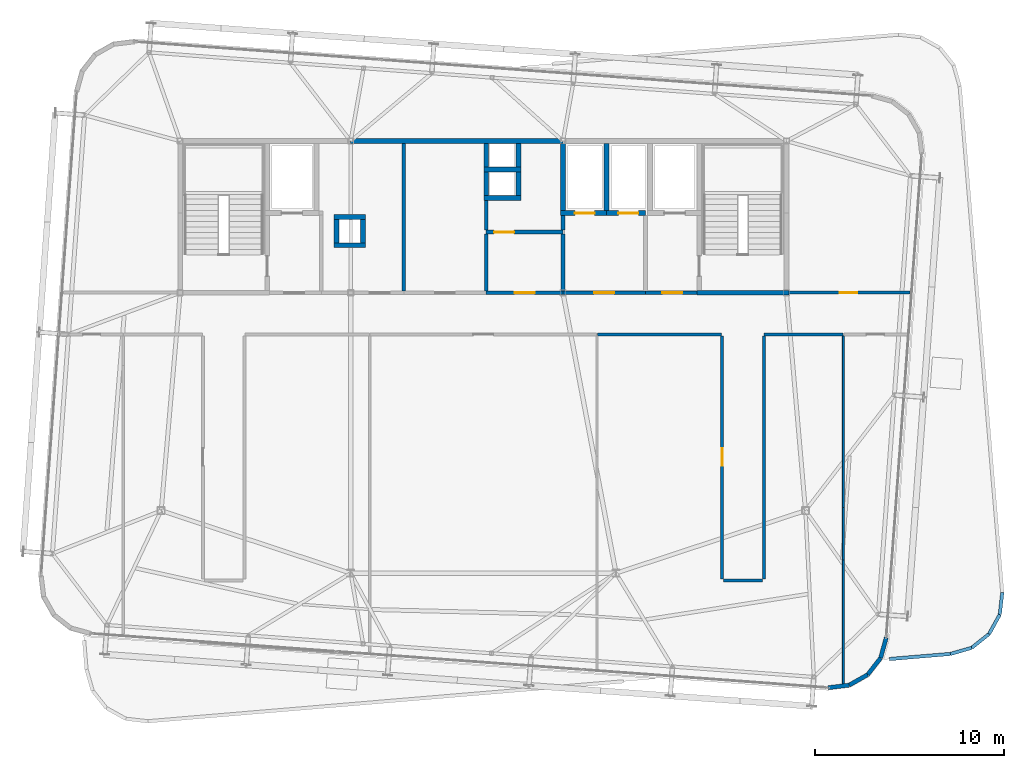
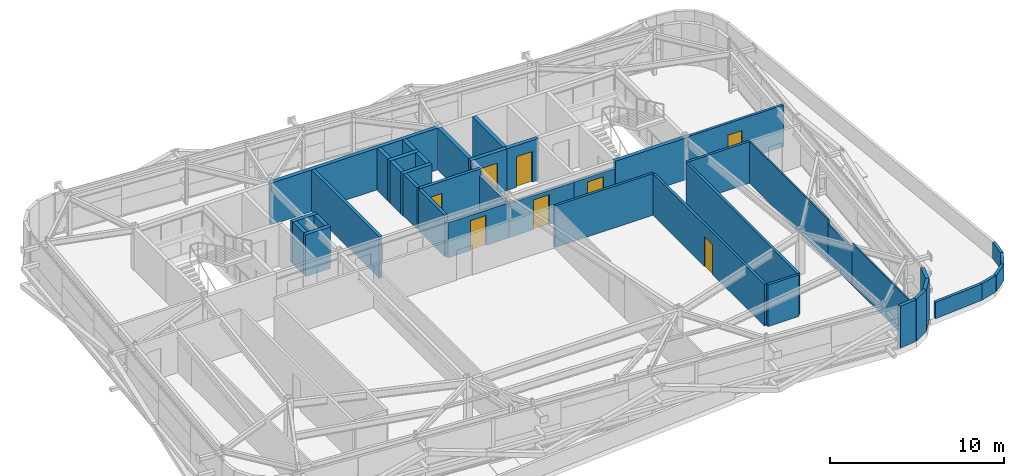
# One storey, part 34 of 37: 43 walls, 8 doors, 8 openings.
"""IFC4 building model written with IfcOpenShell, lengths in metres."""

from ifc_helpers import new_model, si_unit, direction, frame, frame_2d, origin, place, context, subcontext, project, spatial, rectangle, extrude, source, transform, mapped, material, layer, layer_set, type_object, element, fill, save


model = new_model("IFC4")

# Units and contexts
model_context = context("Model", 3, precision=1e-05, world=origin(), true_north=direction((0.0, 1.0)))
body_context = subcontext(model_context, "Body", "Model", "MODEL_VIEW")
ifc_project = project(units=[si_unit("LENGTHUNIT", "METRE"), si_unit("AREAUNIT", "SQUARE_METRE"), si_unit("VOLUMEUNIT", "CUBIC_METRE"), si_unit("PLANEANGLEUNIT", "RADIAN"), si_unit("MASSUNIT", "GRAM", prefix="KILO")], contexts=[model_context])

# Site, building, storey
site_placement = place(None, origin())
site = spatial("IfcSite", under=ifc_project, at=site_placement, CompositionType="ELEMENT")
building_placement = place(site_placement, origin())
building = spatial("IfcBuilding", under=site, at=building_placement, Name="Taldren Reach Tower", CompositionType="ELEMENT")
storey_placement = place(building_placement, frame((0.0, 0.0, 211.39990234375)))
storey = spatial("IfcBuildingStorey", under=building, at=storey_placement, Name="L64", CompositionType="ELEMENT", Elevation=211.39990234375)

# Walls
ifc_material_1 = material(Name="Pale Champagne Anodised Aluminium Cladding", Category="aluminium")
ifc_layer_1 = layer(ifc_material_1, 0.04, Name="Pale Champagne Anodised Aluminium Cladding", Category="aluminium")
ifc_material_2 = material(Name="Mineral Wool Acoustic Insulation", Category="insulation")
ifc_layer_2 = layer(ifc_material_2, 0.06, Name="Mineral Wool Acoustic Insulation", Category="insulation")
ifc_material_3 = material(Name="Steel Gr 350 (C350L0)", Category="steel")
ifc_layer_3 = layer(ifc_material_3, 0.12, Name="Steel Gr 350 (C350L0)", Category="steel")
ifc_layer_set_1 = layer_set([ifc_layer_1, ifc_layer_2, ifc_layer_3], Name="Pale Champagne Aluminium Cladding and Steel Gr 350 Stud Framing")
wall_type_1 = type_object("IfcWallType", Name="EW-CRN-220", PredefinedType="SOLIDWALL", material=ifc_layer_set_1)
shared_shape_1 = source(origin(), body_context, "Body", "SweptSolid", [
    extrude(rectangle(XDim=1.115966796875, YDim=0.219970703125, at=frame_2d((0.55810546875, 0.0))), origin(), (0.0, 0.0, 1.0), 2.93017578125),
])
for number, where, z_axis, x_axis, name in (
    (1, (53.20068359375, 3.15380859375, 0.0), (0.0, 0.0, 1.0), (0.992438604032, 0.122742076028, 0.0), "Rounded-corner pale-metal facade wall L64-SE1"),
    (2, (55.279052734375, 3.84130859375, 0.0), (0.0, 0.0, 1.0), (0.615015475096, 0.788515038152, 0.0), "Rounded-corner pale-metal facade wall L64-SE3"),
    (3, (55.96533203125, 4.72119140625, 0.0), (0.0, 0.0, 1.0), (0.26624444942, 0.963905541613, 0.0), "Rounded-corner pale-metal facade wall L64-SE4"),
):
    element("IfcWall", number, at=place(storey_placement, frame(where, z_axis=z_axis, x_axis=x_axis)), inside=storey, type_object=wall_type_1, Name=name, PredefinedType="SOLIDWALL", context=body_context, shape_type="MappedRepresentation", body=[
        mapped(shared_shape_1, transform((0.0, 0.0, 0.0), scale=1.0)),
    ])
shared_shape_2 = source(origin(), body_context, "Body", "SweptSolid", [
    extrude(rectangle(XDim=1.1162109375, YDim=0.219970703125, at=frame_2d((0.55810546875, 0.0))), origin(), (0.0, 0.0, 1.0), 2.93017578125),
])
wall_1_placement = place(storey_placement, frame((54.30810546875, 3.290771484375, 0.0), z_axis=(0.0, 0.0, 1.0), x_axis=(0.869893934693, 0.49323882895, 0.0)))
element("IfcWall", 4, at=wall_1_placement, inside=storey, type_object=wall_type_1, Name="Rounded-corner pale-metal facade wall L64-SE2", PredefinedType="SOLIDWALL", context=body_context, shape_type="MappedRepresentation", body=[
    mapped(shared_shape_2, transform((0.0, 0.0, 0.0), scale=1.0)),
])
ifc_layer_4 = layer(ifc_material_1, 0.03, Name="Pale Champagne Anodised Aluminium Cladding", Category="aluminium")
ifc_material_4 = material(Name="Concrete N40 (40 MPa)", Category="concrete")
ifc_layer_5 = layer(ifc_material_4, 0.15, Name="Concrete N40 (40 MPa)", Category="concrete")
ifc_layer_set_2 = layer_set([ifc_layer_4, ifc_layer_5], Name="Pale Champagne Aluminium Coping and Concrete 40 MPa (N40) Parapet")
wall_type_2 = type_object("IfcWallType", Name="EW-PAR-180", PredefinedType="PARAPET", material=ifc_layer_set_2)
shared_shape_3 = source(origin(), body_context, "Body", "SweptSolid", [
    extrude(rectangle(XDim=1.17041015625, YDim=0.179931640625, at=frame_2d((0.585205078125, 0.0))), origin(), (0.0, 0.0, 1.0), 1.150146484375),
])
for number, where, z_axis, x_axis, name in (
    (5, (62.38623046875, 8.17626953125, 0.0), (0.0, 0.0, 1.0), (-0.112422959565, -0.993660444097, 0.0), "Setback planter parapet wall L64-1.5"),
    (6, (61.68798828125, 5.98876953125, 0.0), (0.0, 0.0, 1.0), (-0.782007128427, -0.623269485126, 0.0), "Setback planter parapet wall L64-1.7"),
):
    element("IfcWall", number, at=place(storey_placement, frame(where, z_axis=z_axis, x_axis=x_axis)), inside=storey, type_object=wall_type_2, Name=name, PredefinedType="PARAPET", context=body_context, shape_type="MappedRepresentation", body=[
        mapped(shared_shape_3, transform((0.0, 0.0, 0.0), scale=1.0)),
    ])
shared_shape_4 = source(origin(), body_context, "Body", "SweptSolid", [
    extrude(rectangle(XDim=1.170654296875, YDim=0.179931640625, at=frame_2d((0.58544921875, 0.0))), origin(), (0.0, 0.0, 1.0), 1.150146484375),
])
for number, where, z_axis, x_axis, name in (
    (7, (62.254638671875, 7.01318359375, 0.0), (0.0, 0.0, 1.0), (-0.484030808045, -0.875050956724, 0.0), "Setback planter parapet wall L64-1.6"),
    (8, (60.772705078125, 5.25927734375, 0.0), (0.0, 0.0, 1.0), (-0.961058226353, -0.276345952673, 0.0), "Setback planter parapet wall L64-1.8"),
):
    element("IfcWall", number, at=place(storey_placement, frame(where, z_axis=z_axis, x_axis=x_axis)), inside=storey, type_object=wall_type_2, Name=name, PredefinedType="PARAPET", context=body_context, shape_type="MappedRepresentation", body=[
        mapped(shared_shape_4, transform((0.0, 0.0, 0.0), scale=1.0)),
    ])
shared_shape_5 = source(origin(), body_context, "Body", "SweptSolid", [
    extrude(rectangle(XDim=3.23486328125, YDim=0.179931640625, at=frame_2d((1.617431640625, 0.0))), origin(), (0.0, 0.0, 1.0), 1.150146484375),
])
wall_2_placement = place(storey_placement, frame((59.647705078125, 4.935791015625, 0.0), z_axis=(0.0, 0.0, 1.0), x_axis=(-0.996491417133, -0.083695015268, 0.0)))
element("IfcWall", 9, at=wall_2_placement, inside=storey, type_object=wall_type_2, Name="Setback planter parapet wall L64-1.9", PredefinedType="PARAPET", context=body_context, shape_type="MappedRepresentation", body=[
    mapped(shared_shape_5, transform((0.0, 0.0, 0.0), scale=1.0)),
])
ifc_material_5 = material(Name="Concrete S50 (50 MPa)", Category="concrete")
ifc_layer_6 = layer(ifc_material_5, 0.199951171875)
ifc_layer_set_3 = layer_set([ifc_layer_6], Name="Concrete S50 (50 MPa)")
wall_type_3 = type_object("IfcWallType", Name="IW-CORE-200", PredefinedType="SOLIDWALL", material=ifc_layer_set_3)
shared_shape_6 = source(origin(), body_context, "Body", "SweptSolid", [
    extrude(rectangle(XDim=3.0, YDim=0.199951171875, at=frame_2d((1.5, 0.0))), origin(), (0.0, 0.0, 1.0), 2.47021484375),
])
wall_3_placement = place(storey_placement, frame((39.199951171875, 24.10009765625, 0.0), z_axis=(0.0, 0.0, 1.0), x_axis=(0.0, 1.0, 0.0)))
element("IfcWall", 10, at=wall_3_placement, inside=storey, type_object=wall_type_3, Name="Rear Core Shear Wall W-INT-L64-029", PredefinedType="SOLIDWALL", context=body_context, shape_type="MappedRepresentation", body=[
    mapped(shared_shape_6, transform((0.0, 0.0, 0.0), scale=1.0)),
])
ifc_material_6 = material(Name="Fire-Rated Acoustic Plasterboard Stud Wall", Category="gypsum")
ifc_layer_7 = layer(ifc_material_6, 0.159912109375)
ifc_layer_set_4 = layer_set([ifc_layer_7], Name="Fire-Rated Acoustic Plasterboard Stud Wall")
wall_type_4 = type_object("IfcWallType", Name="IW-FIRE-160", PredefinedType="PARTITIONING", material=ifc_layer_set_4)
shared_shape_7 = source(origin(), body_context, "Body", "SweptSolid", [
    extrude(rectangle(XDim=2.0400390625, YDim=0.159912109375, at=frame_2d((1.02001953125, 0.0))), origin(), (0.0, 0.0, 1.0), 2.93017578125),
])
wall_4_placement = place(storey_placement, frame((49.719970703125, 8.800048828125, 0.0), z_axis=(0.0, 0.0, 1.0), x_axis=(-1.0, 0.0, 0.0)))
element("IfcWall", 11, at=wall_4_placement, inside=storey, type_object=wall_type_4, Name="Interior Partition Wall W-INT-L64-050", PredefinedType="PARTITIONING", context=body_context, shape_type="MappedRepresentation", body=[
    mapped(shared_shape_7, transform((0.0, 0.0, 0.0), scale=1.0)),
])

# Wall, opening, door
shared_shape_8 = source(origin(), body_context, "Body", "SweptSolid", [
    extrude(rectangle(XDim=4.35009765625, YDim=0.199951171875, at=frame_2d((2.175048828125, 0.0))), origin(), (0.0, 0.0, 1.0), 2.397216796875),
])
wall_5_placement = place(storey_placement, frame((43.550048828125, 24.0, 0.0), z_axis=(0.0, 0.0, 1.0), x_axis=(-1.0, 0.0, 0.0)))
wall_5 = element("IfcWall", 12, at=wall_5_placement, inside=storey, type_object=wall_type_3, Name="Rear Core Shear Wall W-INT-L64-031", PredefinedType="SOLIDWALL", context=body_context, shape_type="MappedRepresentation", body=[
    mapped(shared_shape_8, transform((0.0, 0.0, 0.0), scale=1.0)),
])
shared_shape_9 = source(origin(), body_context, "Body", "SweptSolid", [
    extrude(rectangle(XDim=1.050048828125, YDim=2.10009765625, at=frame_2d((0.52490234375, 1.050048828125))), frame((0.0, 0.10986328125, 0.0), z_axis=(0.0, -1.0, 0.0), x_axis=(1.0, 0.0, 0.0)), (0.0, 0.0, 1.0), 0.219970703125),
])
opening_1_placement = place(wall_5_placement, frame((1.64990234375, 0.0, 0.0)))
opening_1 = element("IfcOpeningElement", 13, at=opening_1_placement, cuts=wall_5, Name="Opening DF-105", PredefinedType="OPENING", context=body_context, shape_type="MappedRepresentation", body=[
    mapped(shared_shape_9, transform((0.0, 0.0, 0.0), scale=1.0)),
])
ifc_material_7 = material(Name="Fire-Rated Care and Stair Exit Door")
door_type_1 = type_object("IfcDoorType", Name="ID-FIRE-105", OperationType="NOTDEFINED", PredefinedType="DOOR", material=ifc_material_7)
shared_shape_10 = source(origin(), body_context, "Body", "SweptSolid", [
    extrude(rectangle(XDim=1.050048828125, YDim=2.10009765625, at=frame_2d((0.52490234375, 1.050048828125))), frame((0.0, 0.02490234375, 0.0), z_axis=(0.0, -1.0, 0.0), x_axis=(1.0, 0.0, 0.0)), (0.0, 0.0, 1.0), 0.050048828125),
])
door_1_placement = place(opening_1_placement, frame((1.050048828125, 0.0, 0.0), z_axis=(0.0, 0.0, 1.0), x_axis=(-1.0, 0.0, 0.0)))
door_1 = element("IfcDoor", 14, at=door_1_placement, inside=storey, type_object=door_type_1, Name="Interior Door DR-L64-005", OperationType="SINGLE_SWING_LEFT", OverallHeight=2.10009765625, OverallWidth=1.050048828125, PredefinedType="DOOR", context=body_context, shape_type="MappedRepresentation", body=[
    mapped(shared_shape_10, transform((0.0, 0.0, 0.0), scale=1.0)),
])
fill(opening_1, door_1)

# Walls
ifc_material_8 = material(Name="Concrete S65 (65 MPa)", Category="concrete")
ifc_layer_8 = layer(ifc_material_8, 0.25)
ifc_layer_set_5 = layer_set([ifc_layer_8], Name="Concrete S65 (65 MPa)")
wall_type_5 = type_object("IfcWallType", Name="IW-CORE-250", PredefinedType="SHEAR", material=ifc_layer_set_5)
shared_shape_11 = source(origin(), body_context, "Body", "SweptSolid", [
    extrude(rectangle(XDim=11.199951171875, YDim=0.25, at=frame_2d((5.60009765625, 0.0))), origin(), (0.0, 0.0, 1.0), 2.93017578125),
])
wall_6_placement = place(storey_placement, frame((28.0, 32.0, 0.0), z_axis=(0.0, 0.0, 1.0), x_axis=(1.0, 0.0, 0.0)))
element("IfcWall", 15, at=wall_6_placement, inside=storey, type_object=wall_type_5, Name="Rear Core Shear Wall W-CORE-L64-NORTH2", PredefinedType="SHEAR", context=body_context, shape_type="MappedRepresentation", body=[
    mapped(shared_shape_11, transform((0.0, 0.0, 0.0), scale=1.0)),
])
shared_shape_12 = source(origin(), body_context, "Body", "SweptSolid", [
    extrude(rectangle(XDim=3.550048828125, YDim=0.25, at=frame_2d((1.77490234375, 0.0))), origin(), (0.0, 0.0, 1.0), 2.93017578125),
])
for number, where, z_axis, x_axis, name in (
    (16, (41.5, 28.324951171875, 0.0), (0.0, 0.0, 1.0), (0.0, 1.0, 0.0), "Rear Core Shear Wall W-INT-L64-025"),
    (17, (39.199951171875, 31.875, 0.0), (0.0, 0.0, 1.0), (0.0, -1.0, 0.0), "Rear Core Shear Wall W-INT-L64-027"),
):
    element("IfcWall", number, at=place(storey_placement, frame(where, z_axis=z_axis, x_axis=x_axis)), inside=storey, type_object=wall_type_5, Name=name, PredefinedType="SHEAR", context=body_context, shape_type="MappedRepresentation", body=[
        mapped(shared_shape_12, transform((0.0, 0.0, 0.0), scale=1.0)),
    ])
shared_shape_13 = source(origin(), body_context, "Body", "SweptSolid", [
    extrude(rectangle(XDim=4.85009765625, YDim=0.25, at=frame_2d((2.425048828125, 0.0))), origin(), (0.0, 0.0, 1.0), 2.93017578125),
])
wall_7_placement = place(storey_placement, frame((46.27490234375, 24.0, 0.0), z_axis=(0.0, 0.0, 1.0), x_axis=(1.0, 0.0, 0.0)))
element("IfcWall", 18, at=wall_7_placement, inside=storey, type_object=wall_type_5, Name="Rear Core Shear Wall W-INT-L64-010", PredefinedType="SHEAR", context=body_context, shape_type="MappedRepresentation", body=[
    mapped(shared_shape_13, transform((0.0, 0.0, 0.0), scale=1.0)),
])

# Wall, opening, door
shared_shape_14 = source(origin(), body_context, "Body", "SweptSolid", [
    extrude(rectangle(XDim=2.724853515625, YDim=0.199951171875, at=frame_2d((1.3623046875, 0.0))), origin(), (0.0, 0.0, 1.0), 2.397216796875),
])
wall_8_placement = place(storey_placement, frame((43.550048828125, 24.0, 0.0), z_axis=(0.0, 0.0, 1.0), x_axis=(1.0, 0.0, 0.0)))
wall_8 = element("IfcWall", 19, at=wall_8_placement, inside=storey, type_object=wall_type_3, Name="Rear Core Shear Wall W-INT-L64-014", PredefinedType="SOLIDWALL", context=body_context, shape_type="MappedRepresentation", body=[
    mapped(shared_shape_14, transform((0.0, 0.0, 0.0), scale=1.0)),
])
opening_2_placement = place(wall_8_placement, frame((0.89990234375, 0.0, 0.0)))
opening_2 = element("IfcOpeningElement", 20, at=opening_2_placement, cuts=wall_8, Name="Opening DF-105", PredefinedType="OPENING", context=body_context, shape_type="MappedRepresentation", body=[
    mapped(shared_shape_9, transform((0.0, 0.0, 0.0), scale=1.0)),
])
door_2_placement = place(opening_2_placement, origin())
door_2 = element("IfcDoor", 21, at=door_2_placement, inside=storey, type_object=door_type_1, Name="Interior Door DR-L64-004", OperationType="SINGLE_SWING_LEFT", OverallHeight=2.10009765625, OverallWidth=1.050048828125, PredefinedType="DOOR", context=body_context, shape_type="MappedRepresentation", body=[
    mapped(shared_shape_10, transform((0.0, 0.0, 0.0), scale=1.0)),
])
fill(opening_2, door_2)

# Walls
shared_shape_15 = source(origin(), body_context, "Body", "SweptSolid", [
    extrude(rectangle(XDim=1.9501953125, YDim=0.25, at=frame_2d((0.97509765625, 0.0))), origin(), (0.0, 0.0, 1.0), 2.93017578125),
])
for number, where, z_axis, x_axis, name in (
    (22, (35.02490234375, 30.5, 0.0), (0.0, 0.0, 1.0), (1.0, 0.0, 0.0), "Rear Core Shear Wall W-INT-L64-015"),
    (23, (35.02490234375, 29.0, 0.0), (0.0, 0.0, 1.0), (1.0, 0.0, 0.0), "Rear Core Shear Wall W-INT-L64-019"),
):
    element("IfcWall", number, at=place(storey_placement, frame(where, z_axis=z_axis, x_axis=x_axis)), inside=storey, type_object=wall_type_5, Name=name, PredefinedType="SHEAR", context=body_context, shape_type="MappedRepresentation", body=[
        mapped(shared_shape_15, transform((0.0, 0.0, 0.0), scale=1.0)),
    ])
shared_shape_16 = source(origin(), body_context, "Body", "SweptSolid", [
    extrude(rectangle(XDim=1.25, YDim=0.25, at=frame_2d((0.625, 0.0))), origin(), (0.0, 0.0, 1.0), 2.93017578125),
])
for number, where, z_axis, x_axis, name in (
    (24, (35.14990234375, 31.875, 0.0), (0.0, 0.0, 1.0), (0.0, -1.0, 0.0), "Rear Core Shear Wall W-INT-L64-016"),
    (25, (36.85009765625, 30.625, 0.0), (0.0, 0.0, 1.0), (0.0, 1.0, 0.0), "Rear Core Shear Wall W-INT-L64-017"),
    (26, (35.14990234375, 30.375, 0.0), (0.0, 0.0, 1.0), (0.0, -1.0, 0.0), "Rear Core Shear Wall W-INT-L64-018"),
    (27, (36.85009765625, 29.125, 0.0), (0.0, 0.0, 1.0), (0.0, 1.0, 0.0), "Rear Core Shear Wall W-INT-L64-020"),
    (28, (28.64990234375, 26.625, 0.0), (0.0, 0.0, 1.0), (0.0, 1.0, 0.0), "Rear Core Shear Wall W-INT-L64-021"),
    (29, (27.25, 27.875, 0.0), (0.0, 0.0, 1.0), (0.0, -1.0, 0.0), "Rear Core Shear Wall W-INT-L64-022"),
):
    element("IfcWall", number, at=place(storey_placement, frame(where, z_axis=z_axis, x_axis=x_axis)), inside=storey, type_object=wall_type_5, Name=name, PredefinedType="SHEAR", context=body_context, shape_type="MappedRepresentation", body=[
        mapped(shared_shape_16, transform((0.0, 0.0, 0.0), scale=1.0)),
    ])
shared_shape_17 = source(origin(), body_context, "Body", "SweptSolid", [
    extrude(rectangle(XDim=1.64990234375, YDim=0.25, at=frame_2d((0.824951171875, 0.0))), origin(), (0.0, 0.0, 1.0), 2.93017578125),
])
for number, where, z_axis, x_axis, name in (
    (30, (28.77490234375, 28.0, 0.0), (0.0, 0.0, 1.0), (-1.0, 0.0, 0.0), "Rear Core Shear Wall W-INT-L64-023"),
    (31, (27.125, 26.5, 0.0), (0.0, 0.0, 1.0), (1.0, 0.0, 0.0), "Rear Core Shear Wall W-INT-L64-024"),
):
    element("IfcWall", number, at=place(storey_placement, frame(where, z_axis=z_axis, x_axis=x_axis)), inside=storey, type_object=wall_type_5, Name=name, PredefinedType="SHEAR", context=body_context, shape_type="MappedRepresentation", body=[
        mapped(shared_shape_17, transform((0.0, 0.0, 0.0), scale=1.0)),
    ])

# Wall, opening, door
shared_shape_18 = source(origin(), body_context, "Body", "SweptSolid", [
    extrude(rectangle(XDim=2.425048828125, YDim=0.25, at=frame_2d((1.21240234375, 0.0))), origin(), (0.0, 0.0, 1.0), 2.93017578125),
])
wall_9_placement = place(storey_placement, frame((39.074951171875, 28.199951171875, 0.0), z_axis=(0.0, 0.0, 1.0), x_axis=(1.0, 0.0, 0.0)))
wall_9 = element("IfcWall", 32, at=wall_9_placement, inside=storey, type_object=wall_type_5, Name="Rear Core Shear Wall W-INT-L64-026", PredefinedType="SHEAR", context=body_context, shape_type="MappedRepresentation", body=[
    mapped(shared_shape_18, transform((0.0, 0.0, 0.0), scale=1.0)),
])
shared_shape_19 = source(origin(), body_context, "Body", "SweptSolid", [
    extrude(rectangle(XDim=1.050048828125, YDim=2.14990234375, at=frame_2d((0.52490234375, 1.074951171875))), frame((0.0, 0.135009765625, 0.0), z_axis=(0.0, -1.0, 0.0), x_axis=(1.0, 0.0, 0.0)), (0.0, 0.0, 1.0), 0.27001953125),
])
opening_3_placement = place(wall_9_placement, frame((0.75, 0.0, 0.0)))
opening_3 = element("IfcOpeningElement", 33, at=opening_3_placement, cuts=wall_9, Name="Opening LD-PH1", PredefinedType="OPENING", context=body_context, shape_type="MappedRepresentation", body=[
    mapped(shared_shape_19, transform((0.0, 0.0, 0.0), scale=1.0)),
])
ifc_material_9 = material(Name="Stainless Steel Gr 316 Passenger Lift Landing Door", Category="steel")
door_type_2 = type_object("IfcDoorType", Name="LD-PAS-105", OperationType="SLIDING_TO_LEFT", PredefinedType="DOOR", material=ifc_material_9)
shared_shape_20 = source(origin(), body_context, "Body", "SweptSolid", [
    extrude(rectangle(XDim=1.050048828125, YDim=2.14990234375, at=frame_2d((0.52490234375, 1.074951171875))), frame((0.0, 0.02490234375, 0.0), z_axis=(0.0, -1.0, 0.0), x_axis=(1.0, 0.0, 0.0)), (0.0, 0.0, 1.0), 0.050048828125),
])
door_3_placement = place(opening_3_placement, origin())
door_3 = element("IfcDoor", 34, at=door_3_placement, inside=storey, type_object=door_type_2, Name="Lift Landing Door LD-PH1-L64", OperationType="SLIDING_TO_LEFT", OverallHeight=2.14990234375, OverallWidth=1.050048828125, PredefinedType="DOOR", context=body_context, shape_type="MappedRepresentation", body=[
    mapped(shared_shape_20, transform((0.0, 0.0, 0.0), scale=1.0)),
])
fill(opening_3, door_3)

shared_shape_21 = source(origin(), body_context, "Body", "SweptSolid", [
    extrude(rectangle(XDim=2.070068359375, YDim=0.25, at=frame_2d((1.03515625, 0.0))), origin(), (0.0, 0.0, 1.0), 2.93017578125),
])
wall_10_placement = place(storey_placement, frame((41.5, 28.199951171875, 0.0), z_axis=(0.0, 0.0, 1.0), x_axis=(1.0, 0.0, 0.0)))
wall_10 = element("IfcWall", 35, at=wall_10_placement, inside=storey, type_object=wall_type_5, Name="Rear Core Shear Wall W-INT-L64-028", PredefinedType="SHEAR", context=body_context, shape_type="MappedRepresentation", body=[
    mapped(shared_shape_21, transform((0.0, 0.0, 0.0), scale=1.0)),
])
opening_4_placement = place(wall_10_placement, frame((0.625, 0.0, 0.0)))
opening_4 = element("IfcOpeningElement", 36, at=opening_4_placement, cuts=wall_10, Name="Opening LD-PH2", PredefinedType="OPENING", context=body_context, shape_type="MappedRepresentation", body=[
    mapped(shared_shape_19, transform((0.0, 0.0, 0.0), scale=1.0)),
])
door_4_placement = place(opening_4_placement, origin())
door_4 = element("IfcDoor", 37, at=door_4_placement, inside=storey, type_object=door_type_2, Name="Lift Landing Door LD-PH2-L64", OperationType="SLIDING_TO_LEFT", OverallHeight=2.14990234375, OverallWidth=1.050048828125, PredefinedType="DOOR", context=body_context, shape_type="MappedRepresentation", body=[
    mapped(shared_shape_20, transform((0.0, 0.0, 0.0), scale=1.0)),
])
fill(opening_4, door_4)

shared_shape_22 = source(origin(), body_context, "Body", "SweptSolid", [
    extrude(rectangle(XDim=4.050048828125, YDim=0.199951171875, at=frame_2d((2.02490234375, 0.0))), origin(), (0.0, 0.0, 1.0), 2.47021484375),
])
wall_11_placement = place(storey_placement, frame((39.199951171875, 24.0, 0.0), z_axis=(0.0, 0.0, 1.0), x_axis=(-1.0, 0.0, 0.0)))
wall_11 = element("IfcWall", 38, at=wall_11_placement, inside=storey, type_object=wall_type_3, Name="Rear Core Shear Wall W-INT-L64-038", PredefinedType="SOLIDWALL", context=body_context, shape_type="MappedRepresentation", body=[
    mapped(shared_shape_22, transform((0.0, 0.0, 0.0), scale=1.0)),
])
opening_5_placement = place(wall_11_placement, frame((1.5, 0.0, 0.0)))
opening_5 = element("IfcOpeningElement", 39, at=opening_5_placement, cuts=wall_11, Name="Opening DF-105", PredefinedType="OPENING", context=body_context, shape_type="MappedRepresentation", body=[
    mapped(shared_shape_9, transform((0.0, 0.0, 0.0), scale=1.0)),
])
door_5_placement = place(opening_5_placement, frame((1.050048828125, 0.0, 0.0), z_axis=(0.0, 0.0, 1.0), x_axis=(-1.0, 0.0, 0.0)))
door_5 = element("IfcDoor", 40, at=door_5_placement, inside=storey, type_object=door_type_1, Name="Interior Door DR-L64-009", OperationType="SINGLE_SWING_LEFT", OverallHeight=2.10009765625, OverallWidth=1.050048828125, PredefinedType="DOOR", context=body_context, shape_type="MappedRepresentation", body=[
    mapped(shared_shape_10, transform((0.0, 0.0, 0.0), scale=1.0)),
])
fill(opening_5, door_5)

shared_shape_23 = source(origin(), body_context, "Body", "SweptSolid", [
    extrude(rectangle(XDim=12.840087890625, YDim=0.159912109375, at=frame_2d((6.419921875, 0.0))), origin(), (0.0, 0.0, 1.0), 2.93017578125),
])
wall_12_placement = place(storey_placement, frame((47.60009765625, 8.8798828125, 0.0), z_axis=(0.0, 0.0, 1.0), x_axis=(0.0, 1.0, 0.0)))
wall_12 = element("IfcWall", 41, at=wall_12_placement, inside=storey, type_object=wall_type_4, Name="Interior Partition Wall W-INT-L64-046", PredefinedType="PARTITIONING", context=body_context, shape_type="MappedRepresentation", body=[
    mapped(shared_shape_23, transform((0.0, 0.0, 0.0), scale=1.0)),
])
shared_shape_24 = source(origin(), body_context, "Body", "SweptSolid", [
    extrude(rectangle(XDim=0.919921875, YDim=2.10009765625, at=frame_2d((0.4599609375, 1.050048828125))), frame((0.0, 0.08984375, 0.0), z_axis=(0.0, -1.0, 0.0), x_axis=(1.0, 0.0, 0.0)), (0.0, 0.0, 1.0), 0.179931640625),
])
opening_6_placement = place(wall_12_placement, frame((5.98974609375, 0.0, 0.0)))
opening_6 = element("IfcOpeningElement", 42, at=opening_6_placement, cuts=wall_12, Name="Opening DI-092", PredefinedType="OPENING", context=body_context, shape_type="MappedRepresentation", body=[
    mapped(shared_shape_24, transform((0.0, 0.0, 0.0), scale=1.0)),
])
ifc_material_10 = material(Name="Solid-Core Timber Suite Door", Category="wood")
door_type_3 = type_object("IfcDoorType", Name="ID-INT-092", OperationType="NOTDEFINED", PredefinedType="DOOR", material=ifc_material_10)
shared_shape_25 = source(origin(), body_context, "Body", "SweptSolid", [
    extrude(rectangle(XDim=0.919921875, YDim=2.10009765625, at=frame_2d((0.4599609375, 1.050048828125))), frame((0.0, 0.02490234375, 0.0), z_axis=(0.0, -1.0, 0.0), x_axis=(1.0, 0.0, 0.0)), (0.0, 0.0, 1.0), 0.050048828125),
])
door_6_placement = place(opening_6_placement, origin())
door_6 = element("IfcDoor", 43, at=door_6_placement, inside=storey, type_object=door_type_3, Name="Interior Door DR-L64-013", OperationType="SINGLE_SWING_RIGHT", OverallHeight=2.10009765625, OverallWidth=0.919921875, PredefinedType="DOOR", context=body_context, shape_type="MappedRepresentation", body=[
    mapped(shared_shape_25, transform((0.0, 0.0, 0.0), scale=1.0)),
])
fill(opening_6, door_6)

# Walls
wall_13_placement = place(storey_placement, frame((49.800048828125, 21.719970703125, 0.0), z_axis=(0.0, 0.0, 1.0), x_axis=(0.0, -1.0, 0.0)))
element("IfcWall", 44, at=wall_13_placement, inside=storey, type_object=wall_type_4, Name="Interior Partition Wall W-INT-L64-047", PredefinedType="PARTITIONING", context=body_context, shape_type="MappedRepresentation", body=[
    mapped(shared_shape_23, transform((0.0, 0.0, 0.0), scale=1.0)),
])
shared_shape_26 = source(origin(), body_context, "Body", "SweptSolid", [
    extrude(rectangle(XDim=0.77490234375, YDim=0.199951171875, at=frame_2d((0.387451171875, 0.0))), origin(), (0.0, 0.0, 1.0), 2.47021484375),
])
wall_14_placement = place(storey_placement, frame((39.199951171875, 27.300048828125, 0.0), z_axis=(0.0, 0.0, 1.0), x_axis=(0.0, 1.0, 0.0)))
element("IfcWall", 45, at=wall_14_placement, inside=storey, type_object=wall_type_3, Name="Rear Core Shear Wall W-INT-L64-030", PredefinedType="SOLIDWALL", context=body_context, shape_type="MappedRepresentation", body=[
    mapped(shared_shape_26, transform((0.0, 0.0, 0.0), scale=1.0)),
])
shared_shape_27 = source(origin(), body_context, "Body", "SweptSolid", [
    extrude(rectangle(XDim=7.77490234375, YDim=0.199951171875, at=frame_2d((3.887451171875, 0.0))), origin(), (0.0, 0.0, 1.0), 2.93017578125),
])
wall_15_placement = place(storey_placement, frame((30.800048828125, 31.875, 0.0), z_axis=(0.0, 0.0, 1.0), x_axis=(0.0, -1.0, 0.0)))
element("IfcWall", 46, at=wall_15_placement, inside=storey, type_object=wall_type_3, Name="Rear Core Shear Wall W-INT-L64-032", PredefinedType="SOLIDWALL", context=body_context, shape_type="MappedRepresentation", body=[
    mapped(shared_shape_27, transform((0.0, 0.0, 0.0), scale=1.0)),
])
shared_shape_28 = source(origin(), body_context, "Body", "SweptSolid", [
    extrude(rectangle(XDim=3.0, YDim=0.199951171875, at=frame_2d((1.5, 0.0))), origin(), (0.0, 0.0, 1.0), 2.93017578125),
])
wall_16_placement = place(storey_placement, frame((35.14990234375, 27.10009765625, 0.0), z_axis=(0.0, 0.0, 1.0), x_axis=(0.0, -1.0, 0.0)))
element("IfcWall", 47, at=wall_16_placement, inside=storey, type_object=wall_type_3, Name="Rear Core Shear Wall W-INT-L64-034", PredefinedType="SOLIDWALL", context=body_context, shape_type="MappedRepresentation", body=[
    mapped(shared_shape_28, transform((0.0, 0.0, 0.0), scale=1.0)),
])
shared_shape_29 = source(origin(), body_context, "Body", "SweptSolid", [
    extrude(rectangle(XDim=1.574951171875, YDim=0.199951171875, at=frame_2d((0.78759765625, 0.0))), origin(), (0.0, 0.0, 1.0), 2.93017578125),
])
wall_17_placement = place(storey_placement, frame((35.14990234375, 28.875, 0.0), z_axis=(0.0, 0.0, 1.0), x_axis=(0.0, -1.0, 0.0)))
element("IfcWall", 48, at=wall_17_placement, inside=storey, type_object=wall_type_3, Name="Rear Core Shear Wall W-INT-L64-035", PredefinedType="SOLIDWALL", context=body_context, shape_type="MappedRepresentation", body=[
    mapped(shared_shape_29, transform((0.0, 0.0, 0.0), scale=1.0)),
])

# Wall, opening, door
shared_shape_30 = source(origin(), body_context, "Body", "SweptSolid", [
    extrude(rectangle(XDim=4.050048828125, YDim=0.199951171875, at=frame_2d((2.02490234375, 0.0))), origin(), (0.0, 0.0, 1.0), 2.93017578125),
])
wall_18_placement = place(storey_placement, frame((35.14990234375, 27.199951171875, 0.0), z_axis=(0.0, 0.0, 1.0), x_axis=(1.0, 0.0, 0.0)))
wall_18 = element("IfcWall", 49, at=wall_18_placement, inside=storey, type_object=wall_type_3, Name="Rear Core Shear Wall W-INT-L64-037", PredefinedType="SOLIDWALL", context=body_context, shape_type="MappedRepresentation", body=[
    mapped(shared_shape_30, transform((0.0, 0.0, 0.0), scale=1.0)),
])
opening_7_placement = place(wall_18_placement, frame((0.419921875, 0.0, 0.0)))
opening_7 = element("IfcOpeningElement", 50, at=opening_7_placement, cuts=wall_18, Name="Opening DF-105", PredefinedType="OPENING", context=body_context, shape_type="MappedRepresentation", body=[
    mapped(shared_shape_9, transform((0.0, 0.0, 0.0), scale=1.0)),
])
door_7_placement = place(opening_7_placement, origin())
door_7 = element("IfcDoor", 51, at=door_7_placement, inside=storey, type_object=door_type_1, Name="Interior Door DR-L64-008", OperationType="SINGLE_SWING_LEFT", OverallHeight=2.10009765625, OverallWidth=1.050048828125, PredefinedType="DOOR", context=body_context, shape_type="MappedRepresentation", body=[
    mapped(shared_shape_10, transform((0.0, 0.0, 0.0), scale=1.0)),
])
fill(opening_7, door_7)

# Walls
shared_shape_31 = source(origin(), body_context, "Body", "SweptSolid", [
    extrude(rectangle(XDim=6.559326171875, YDim=0.159912109375, at=frame_2d((3.27978515625, 0.0))), origin(), (0.0, 0.0, 1.0), 2.93017578125),
])
wall_19_placement = place(storey_placement, frame((47.57958984375, 21.800048828125, 0.0), z_axis=(0.0, 0.0, 1.0), x_axis=(-1.0, 0.0, 0.0)))
element("IfcWall", 52, at=wall_19_placement, inside=storey, type_object=wall_type_4, Name="Interior Partition Wall W-INT-L64-048", PredefinedType="PARTITIONING", context=body_context, shape_type="MappedRepresentation", body=[
    mapped(shared_shape_31, transform((0.0, 0.0, 0.0), scale=1.0)),
])
shared_shape_32 = source(origin(), body_context, "Body", "SweptSolid", [
    extrude(rectangle(XDim=4.159423828125, YDim=0.159912109375, at=frame_2d((2.07958984375, 0.0))), origin(), (0.0, 0.0, 1.0), 2.93017578125),
])
wall_20_placement = place(storey_placement, frame((53.979736328125, 21.800048828125, 0.0), z_axis=(0.0, 0.0, 1.0), x_axis=(-1.0, 0.0, 0.0)))
element("IfcWall", 53, at=wall_20_placement, inside=storey, type_object=wall_type_4, Name="Interior Partition Wall W-INT-L64-049", PredefinedType="PARTITIONING", context=body_context, shape_type="MappedRepresentation", body=[
    mapped(shared_shape_32, transform((0.0, 0.0, 0.0), scale=1.0)),
])

# Wall, opening, door
shared_shape_33 = source(origin(), body_context, "Body", "SweptSolid", [
    extrude(rectangle(XDim=6.378173828125, YDim=0.159912109375, at=frame_2d((3.18896484375, 0.0))), origin(), (0.0, 0.0, 1.0), 2.93017578125),
])
wall_21_placement = place(storey_placement, frame((51.125, 24.0, 0.0), z_axis=(0.0, 0.0, 1.0), x_axis=(1.0, 0.0, 0.0)))
wall_21 = element("IfcWall", 54, at=wall_21_placement, inside=storey, type_object=wall_type_4, Name="Interior Partition Wall W-INT-L64-052", PredefinedType="PARTITIONING", context=body_context, shape_type="MappedRepresentation", body=[
    mapped(shared_shape_33, transform((0.0, 0.0, 0.0), scale=1.0)),
])
opening_8_placement = place(wall_21_placement, frame((2.6767578125, 0.0, 0.0)))
opening_8 = element("IfcOpeningElement", 55, at=opening_8_placement, cuts=wall_21, Name="Opening DI-092", PredefinedType="OPENING", context=body_context, shape_type="MappedRepresentation", body=[
    mapped(shared_shape_24, transform((0.0, 0.0, 0.0), scale=1.0)),
])
door_8_placement = place(opening_8_placement, origin())
door_8 = element("IfcDoor", 56, at=door_8_placement, inside=storey, type_object=door_type_3, Name="Interior Door DR-L64-015", OperationType="SINGLE_SWING_RIGHT", OverallHeight=2.10009765625, OverallWidth=0.919921875, PredefinedType="DOOR", context=body_context, shape_type="MappedRepresentation", body=[
    mapped(shared_shape_25, transform((0.0, 0.0, 0.0), scale=1.0)),
])
fill(opening_8, door_8)

# Walls
ifc_material_11 = material(Name="Acoustic Operable Folding Partition", Category="metal")
ifc_layer_9 = layer(ifc_material_11, 0.10009765625)
ifc_layer_set_6 = layer_set([ifc_layer_9], Name="Acoustic Operable Folding Partition")
wall_type_6 = type_object("IfcWallType", Name="IW-MOV-100", PredefinedType="MOVABLE", material=ifc_layer_set_6)
shared_shape_34 = source(origin(), body_context, "Body", "SweptSolid", [
    extrude(rectangle(XDim=9.06103515625, YDim=0.10009765625, at=frame_2d((4.530517578125, 0.0))), origin(), (0.0, 0.0, 1.0), 2.93017578125),
])
wall_22_placement = place(storey_placement, frame((54.0, 21.718017578125, 0.0), z_axis=(0.0, 0.0, 1.0), x_axis=(0.0, -1.0, 0.0)))
element("IfcWall", 57, at=wall_22_placement, inside=storey, type_object=wall_type_6, Name="Interior Partition Wall W-INT-L64-057", PredefinedType="MOVABLE", context=body_context, shape_type="MappedRepresentation", body=[
    mapped(shared_shape_34, transform((0.0, 0.0, 0.0), scale=1.0)),
])
shared_shape_35 = source(origin(), body_context, "Body", "SweptSolid", [
    extrude(rectangle(XDim=2.75732421875, YDim=0.10009765625, at=frame_2d((1.378662109375, 0.0))), origin(), (0.0, 0.0, 1.0), 2.623046875),
])
wall_23_placement = place(storey_placement, frame((54.0, 12.656982421875, 0.0), z_axis=(0.0, 0.0, 1.0), x_axis=(0.0, -1.0, 0.0)))
element("IfcWall", 58, at=wall_23_placement, inside=storey, type_object=wall_type_6, Name="Interior Partition Wall W-INT-L64-057 part 2", PredefinedType="MOVABLE", context=body_context, shape_type="MappedRepresentation", body=[
    mapped(shared_shape_35, transform((0.0, 0.0, 0.0), scale=1.0)),
])
shared_shape_36 = source(origin(), body_context, "Body", "SweptSolid", [
    extrude(rectangle(XDim=6.5615234375, YDim=0.10009765625, at=frame_2d((3.28076171875, 0.0))), origin(), (0.0, 0.0, 1.0), 2.93017578125),
])
wall_24_placement = place(storey_placement, frame((54.0, 9.899658203125, 0.0), z_axis=(0.0, 0.0, 1.0), x_axis=(0.0, -1.0, 0.0)))
element("IfcWall", 59, at=wall_24_placement, inside=storey, type_object=wall_type_6, Name="Interior Partition Wall W-INT-L64-057 part 3", PredefinedType="MOVABLE", context=body_context, shape_type="MappedRepresentation", body=[
    mapped(shared_shape_36, transform((0.0, 0.0, 0.0), scale=1.0)),
])

save(model, "model.ifc")
